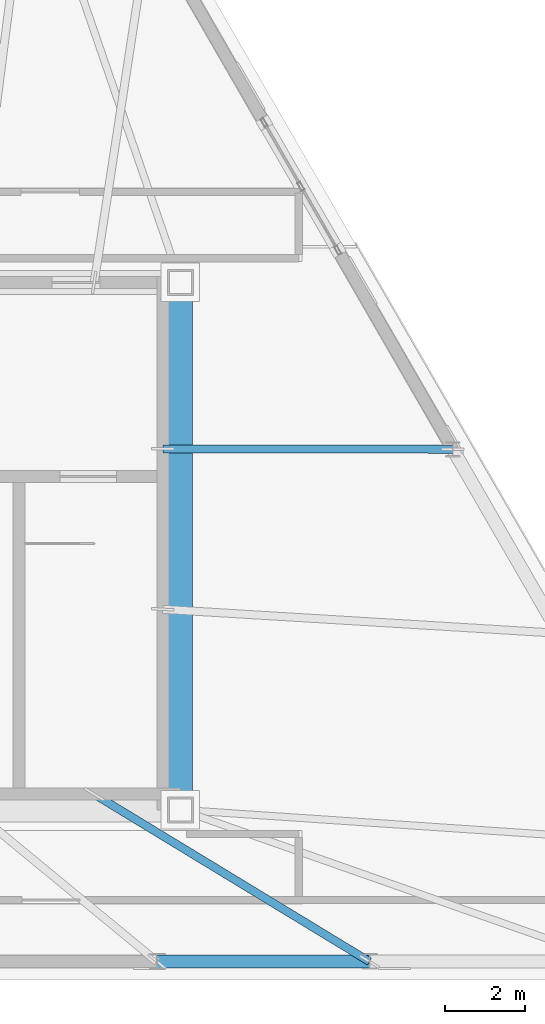
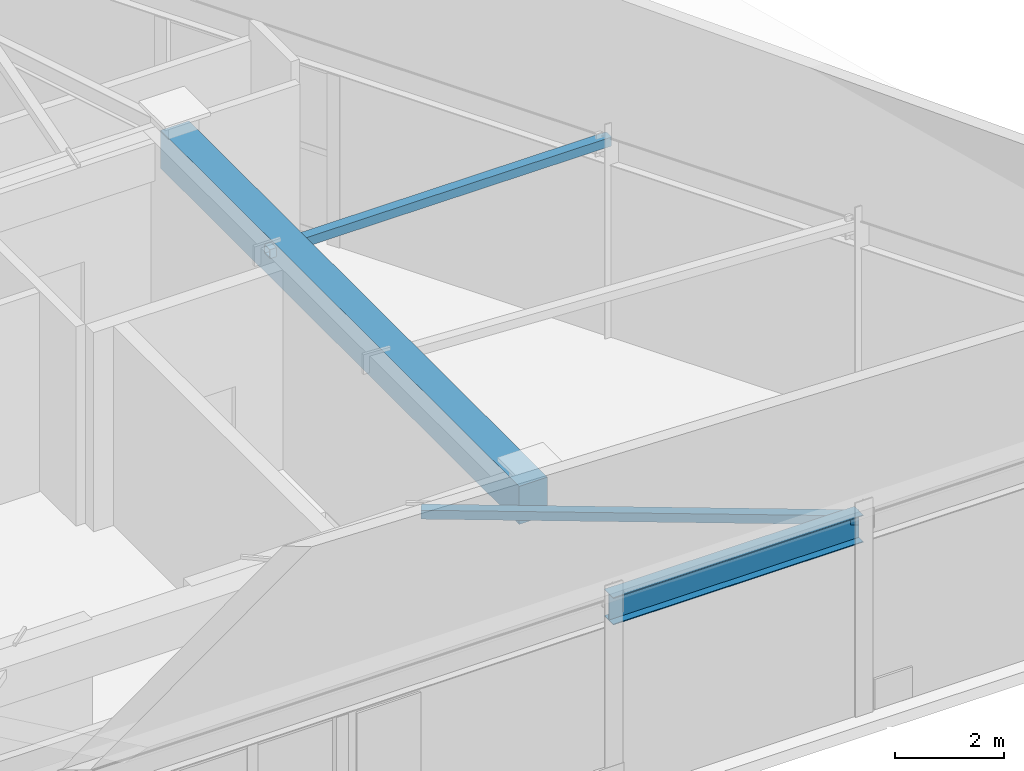
# One storey, part 3 of 11: 2 beams, 2 members.
"""IFC4 building model written with IfcOpenShell, lengths in metres."""

from ifc_helpers import new_model, si_unit, direction, frame, origin, origin_2d, place, context, subcontext, project, spatial, rectangle, hollow_rectangle, i_section, extrude, material, material_profile, profile_set, type_object, element, save


model = new_model("IFC4")

# Units and contexts
model_context = context("Model", 3, precision=1e-05, world=origin(), true_north=direction((0.0, 1.0)))
body_context = subcontext(model_context, "Body", "Model", "MODEL_VIEW")
ifc_project = project(units=[si_unit("LENGTHUNIT", "METRE"), si_unit("AREAUNIT", "SQUARE_METRE"), si_unit("VOLUMEUNIT", "CUBIC_METRE"), si_unit("PLANEANGLEUNIT", "RADIAN"), si_unit("MASSUNIT", "GRAM", prefix="KILO")], contexts=[model_context])

# Site, building, storey
site_placement = place(None, origin())
site = spatial("IfcSite", under=ifc_project, at=site_placement, CompositionType="ELEMENT")
building_placement = place(site_placement, origin())
building = spatial("IfcBuilding", under=site, at=building_placement, Name="Oramaril Tower", CompositionType="ELEMENT")
storey_placement = place(building_placement, frame((0.0, 0.0, 318.89990234375)))
storey = spatial("IfcBuildingStorey", under=building, at=storey_placement, Name="L83", CompositionType="ELEMENT", Elevation=318.89990234375)

# Beams
ifc_material_1 = material(Name="Concrete C50/60", Category="concrete")
ifc_material_profile_1 = material_profile(ifc_material_1, rectangle(XDim=0.60009765625, YDim=0.85009765625, at=origin_2d()), Name="CB600X850")
ifc_profile_set_1 = profile_set([ifc_material_profile_1], Name="Concrete C50/60")
beam_type_1 = type_object("IfcBeamType", Name="BT-CB2", PredefinedType="BEAM", material=ifc_profile_set_1)
beam_1_placement = place(storey_placement, frame((45.64990234375, 11.0, 4.03515625), z_axis=(0.0, 1.0, 0.0), x_axis=(-1.0, 0.0, 0.0)))
element("IfcBeam", 1, at=beam_1_placement, inside=storey, type_object=beam_type_1, Name="L83 Core Header Beam CB-2", PredefinedType="BEAM", context=body_context, shape_type="SweptSolid", body=[
    extrude(rectangle(XDim=0.60009765625, YDim=0.85009765625, at=origin_2d()), origin(), (0.0, 0.0, 1.0), 13.14990234375),
])
ifc_material_2 = material(Name="Steel ASTM A572 Gr 50", Category="steel")
ifc_material_profile_2 = material_profile(ifc_material_2, i_section(OverallWidth=0.324951171875, OverallDepth=0.612060546875, WebThickness=0.0126953125, FlangeThickness=0.01904296875, at=origin_2d()), Name="W24X104")
ifc_profile_set_2 = profile_set([ifc_material_profile_2], Name="Steel ASTM A572 Gr 50")
beam_type_2 = type_object("IfcBeamType", Name="BT-SP5", PredefinedType="SPANDREL", material=ifc_profile_set_2)
beam_2_placement = place(storey_placement, frame((45.0654296875, 7.218994140625, 4.154052734375), z_axis=(1.0, 0.0, 0.0), x_axis=(0.0, 1.0, 0.0)))
element("IfcBeam", 2, at=beam_2_placement, inside=storey, type_object=beam_type_2, Name="L83 Perimeter Spandrel 05", PredefinedType="SPANDREL", context=body_context, shape_type="SweptSolid", body=[
    extrude(i_section(OverallWidth=0.324951171875, OverallDepth=0.612060546875, WebThickness=0.0126953125, FlangeThickness=0.01904296875, at=origin_2d()), origin(), (0.0, 0.0, 1.0), 5.295654296875),
])

# Members
ifc_material_3 = material(Name="Steel ASTM A572 Gr 50", Category="steel")
ifc_material_profile_3 = material_profile(ifc_material_3, hollow_rectangle(XDim=0.199951171875, YDim=0.199951171875, WallThickness=0.010009765625, at=origin_2d()), Name="HSS200X200X10")
ifc_profile_set_3 = profile_set([ifc_material_profile_3], Name="Steel ASTM A572 Gr 50")
member_type = type_object("IfcMemberType", Name="MT-RF1", PredefinedType="RAFTER", material=ifc_profile_set_3)
member_1_placement = place(storey_placement, frame((50.361083984375, 7.218994140625, 4.31005859375), z_axis=(-0.854497859944, 0.519454913685, 0.0), x_axis=(-0.519454913685, -0.854497859944, 0.0)))
element("IfcMember", 3, at=member_1_placement, inside=storey, type_object=member_type, Name="L83 Crown Roof Rafter RF-04", PredefinedType="RAFTER", context=body_context, shape_type="SweptSolid", body=[
    extrude(hollow_rectangle(XDim=0.199951171875, YDim=0.199951171875, WallThickness=0.010009765625, at=origin_2d()), origin(), (0.0, 0.0, 1.0), 8.029296875),
])
member_2_placement = place(storey_placement, frame((52.43798828125, 19.98876953125, 4.31005859375), z_axis=(-0.99999879295, 0.001553737231, 0.0), x_axis=(-0.001553737231, -0.99999879295, 0.0)))
element("IfcMember", 4, at=member_2_placement, inside=storey, type_object=member_type, Name="L83 Crown Roof Rafter RF-06", PredefinedType="RAFTER", context=body_context, shape_type="SweptSolid", body=[
    extrude(hollow_rectangle(XDim=0.199951171875, YDim=0.199951171875, WallThickness=0.010009765625, at=origin_2d()), origin(), (0.0, 0.0, 1.0), 7.22802734375),
])

save(model, "model.ifc")
